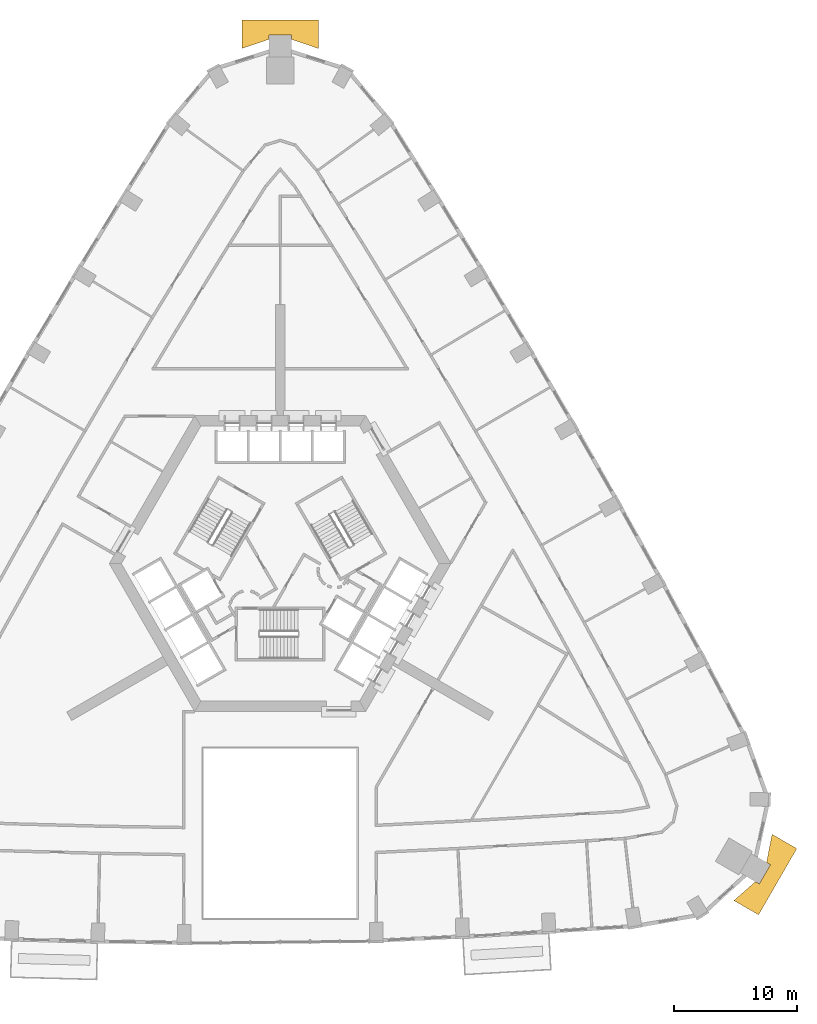
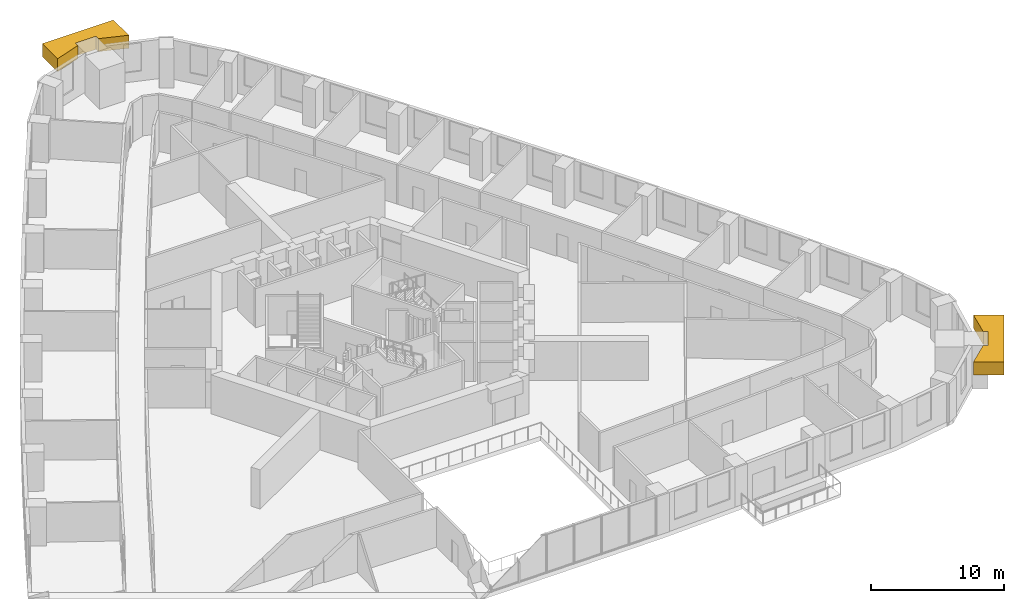
# One storey, part 15 of 15: 2 coverings.
"""IFC4 building model written with IfcOpenShell, lengths in metres."""

import ifcopenshell
import ifcopenshell.guid

model = None  # the IFC model being written
_history = None  # IfcOwnerHistory: only IFC2X3 demands one
_inside = {}  # id of a spatial element -> (the spatial element, [elements in it])
_under = {}  # id of a project, library or spatial element -> (it, [spatial elements below it])
_declared = {}  # id of a project -> (the project, [libraries it declares])
_typed = {}  # id of a type object -> (the type object, [elements of that type])
_made_of = {}  # id of a material, layer set ... -> (it, [elements and type objects made of it])


def new_model(schema):
    """Start an empty IFC model of exactly this schema.

    Asked for "IFC4X3", IfcOpenShell would pick the latest addendum, in which some entities
    have other attributes; the version numbers below select the first issue.
    IFC2X3 requires an IfcOwnerHistory on every rooted entity: one is made here for all.
    """
    global model, _history
    if schema == "IFC4X3":
        model = ifcopenshell.file(schema_version=(4, 3, 0, 0))
    else:
        model = ifcopenshell.file(schema=schema)
    _inside.clear()
    _under.clear()
    _declared.clear()
    _typed.clear()
    _made_of.clear()
    _history = None
    if model.schema == "IFC2X3":
        org = make("IfcOrganization", Name="unknown")
        user = make(
            "IfcPersonAndOrganization",
            ThePerson=make("IfcPerson", FamilyName="unknown"),
            TheOrganization=org,
        )
        app = make(
            "IfcApplication",
            ApplicationDeveloper=org,
            Version="unknown",
            ApplicationFullName="unknown",
            ApplicationIdentifier="unknown",
        )
        _history = make(
            "IfcOwnerHistory",
            OwningUser=user,
            OwningApplication=app,
            ChangeAction="ADDED",
            CreationDate=0,
        )
    return model


def make(cls, **values):
    """One entity of the class cls with the attributes given. An attribute that is None is left unset."""
    return model.create_entity(
        cls, **{name: value for name, value in values.items() if value is not None}
    )


def rooted(cls, **values):
    """An entity with a GlobalId (a new one), such as an element, a storey or a relation."""
    return make(cls, GlobalId=ifcopenshell.guid.new(), OwnerHistory=_history, **values)


def si_unit(unit_type, name, prefix=None):
    """IfcSIUnit, for example si_unit("LENGTHUNIT", "METRE", prefix="MILLI")."""
    return make("IfcSIUnit", UnitType=unit_type, Prefix=prefix, Name=name)


def assignment(units):
    """IfcUnitAssignment: the units of a project."""
    return None if units is None else make("IfcUnitAssignment", Units=units)


def point(xyz):
    """IfcCartesianPoint."""
    return None if xyz is None else make("IfcCartesianPoint", Coordinates=xyz)


def direction(xyz):
    """IfcDirection."""
    return None if xyz is None else make("IfcDirection", DirectionRatios=xyz)


def frame(location, z_axis=None, x_axis=None):
    """IfcAxis2Placement3D, a coordinate frame: its origin and axes. An axis left out is left unset."""
    return make(
        "IfcAxis2Placement3D",
        Location=point(location),
        Axis=direction(z_axis),
        RefDirection=direction(x_axis),
    )


def origin():
    """The frame at (0, 0, 0) with its axes left unset."""
    return frame((0.0, 0.0, 0.0))


def place(relative_to, where):
    """IfcLocalPlacement: puts the frame where relative to a parent placement (None: the world)."""
    return make(
        "IfcLocalPlacement", PlacementRelTo=relative_to, RelativePlacement=where
    )


def context(
    kind, dimensions, precision=None, world=None, true_north=None, identifier=None
):
    """IfcGeometricRepresentationContext, for example the 3D "Model" context."""
    return make(
        "IfcGeometricRepresentationContext",
        ContextIdentifier=identifier,
        ContextType=kind,
        CoordinateSpaceDimension=dimensions,
        Precision=precision,
        WorldCoordinateSystem=world,
        TrueNorth=true_north,
    )


def subcontext(parent, identifier, kind, view, scale=None):
    """IfcGeometricRepresentationSubContext, for example "Body" below "Model"."""
    return make(
        "IfcGeometricRepresentationSubContext",
        ContextIdentifier=identifier,
        ContextType=kind,
        ParentContext=parent,
        TargetScale=scale,
        TargetView=view,
    )


def project(units=None, contexts=None):
    """IfcProject with its units and contexts."""
    return rooted(
        "IfcProject",
        Name="project",
        RepresentationContexts=contexts,
        UnitsInContext=assignment(units),
    )


def spatial(cls, under=None, at=None, **own):
    """A site, building, storey or space (cls), placed at a placement, below another one or the project."""
    s = rooted(cls, ObjectPlacement=at, **own)
    if under is not None:
        _under.setdefault(under.id(), (under, []))[1].append(s)
    return s


def polyline(points):
    """IfcPolyline through the points."""
    return make("IfcPolyline", Points=[point(p) for p in points])


def outline(outer, holes=None, kind="AREA"):
    """IfcArbitraryClosedProfileDef: a profile drawn as a closed curve; with holes, ...WithVoids."""
    if holes is None:
        return make("IfcArbitraryClosedProfileDef", ProfileType=kind, OuterCurve=outer)
    return make(
        "IfcArbitraryProfileDefWithVoids",
        ProfileType=kind,
        OuterCurve=outer,
        InnerCurves=holes,
    )


def extrude(swept, where, along, depth):
    """IfcExtrudedAreaSolid: the profile swept, set in the frame where, extruded along a direction by depth."""
    return make(
        "IfcExtrudedAreaSolid",
        SweptArea=swept,
        Position=where,
        ExtrudedDirection=direction(along),
        Depth=depth,
    )


def shape(context_of_items, identifier, shape_type, items):
    """IfcShapeRepresentation: the items that make up one representation, for example the "Body"."""
    return make(
        "IfcShapeRepresentation",
        ContextOfItems=context_of_items,
        RepresentationIdentifier=identifier,
        RepresentationType=shape_type,
        Items=items,
    )


def material(Name=None, Category=None):
    """IfcMaterial."""
    return make("IfcMaterial", Name=Name, Category=Category)


def made_of(thing, what):
    """Note that an element or type object is made of a material, layer set ...; save() writes the relation."""
    if what is not None:
        _made_of.setdefault(what.id(), (what, []))[1].append(thing)
    return thing


def type_object(cls, material=None, **own):
    """A type object (cls), such as IfcWallType, which elements share."""
    return made_of(rooted(cls, **own), material)


def element(
    cls,
    number,
    at=None,
    inside=None,
    cuts=None,
    type_object=None,
    material=None,
    context=None,
    identifier="Body",
    shape_type=None,
    held_by="IfcProductDefinitionShape",
    body=None,
    shapes=None,
    **own,
):
    """One element of the class cls, such as IfcWall. Its Tag is "e" and its number.

    at: its placement. inside: the storey or other place that contains it. cuts: it is an
    opening in that element (IfcRelVoidsElement). A single representation is given by context,
    identifier, shape_type and body (its items); several are given by shapes. held_by: the class
    of the entity that holds the representations. save() writes the other relations.
    """
    e = rooted(cls, Tag="e%d" % number, ObjectPlacement=at, **own)
    if body is not None:
        shapes = [shape(context, identifier, shape_type, body)]
    if shapes is not None:
        e.Representation = make(held_by, Representations=shapes)
    if inside is not None:
        _inside.setdefault(inside.id(), (inside, []))[1].append(e)
    if cuts is not None:
        rooted(
            "IfcRelVoidsElement", RelatingBuildingElement=cuts, RelatedOpeningElement=e
        )
    if type_object is not None:
        _typed.setdefault(type_object.id(), (type_object, []))[1].append(e)
    return made_of(e, material)


def aggregate(whole, parts):
    """IfcRelAggregates: a whole, such as a stair, and the parts it consists of."""
    return rooted("IfcRelAggregates", RelatingObject=whole, RelatedObjects=parts)


def save(model, path):
    """Write the relations noted so far, then the file.

    IfcRelAggregates (storeys below a building ...), IfcRelContainedInSpatialStructure (elements
    in a storey), IfcRelDefinesByType, IfcRelAssociatesMaterial and IfcRelDeclares: one each for
    every whole, place, type object, material and project.
    """
    for whole, parts in _under.values():
        aggregate(whole, parts)
    for where, things in _inside.values():
        rooted(
            "IfcRelContainedInSpatialStructure",
            RelatedElements=things,
            RelatingStructure=where,
        )
    for kind, things in _typed.values():
        rooted("IfcRelDefinesByType", RelatedObjects=things, RelatingType=kind)
    for what, things in _made_of.values():
        rooted("IfcRelAssociatesMaterial", RelatedObjects=things, RelatingMaterial=what)
    for by, libraries in _declared.values():
        rooted("IfcRelDeclares", RelatingContext=by, RelatedDefinitions=libraries)
    model.write(path)


model = new_model("IFC4")

# Units and contexts
model_context = context("Model", 3, precision=1e-05, world=origin(), true_north=direction((0.0, 1.0)))
body_context = subcontext(model_context, "Body", "Model", "MODEL_VIEW")
ifc_project = project(units=[si_unit("LENGTHUNIT", "METRE"), si_unit("AREAUNIT", "SQUARE_METRE"), si_unit("VOLUMEUNIT", "CUBIC_METRE"), si_unit("PLANEANGLEUNIT", "RADIAN"), si_unit("MASSUNIT", "GRAM", prefix="KILO")], contexts=[model_context])

# Site, building, storey
site_placement = place(None, origin())
site = spatial("IfcSite", under=ifc_project, at=site_placement, CompositionType="ELEMENT")
building_placement = place(site_placement, origin())
building = spatial("IfcBuilding", under=site, at=building_placement, Name="Entoto Arch Interchange Tower", CompositionType="ELEMENT")
storey_placement = place(building_placement, frame((0.0, 0.0, 128.60009765625)))
storey = spatial("IfcBuildingStorey", under=building, at=storey_placement, Name="L28", CompositionType="ELEMENT", Elevation=128.60009765625)

# Coverings
ifc_material = material(Name="Board-marked precast concrete C50/60", Category="concrete")
covering_type = type_object("IfcCoveringType", Name="PRECAST FRAME COURSE", PredefinedType="CLADDING", material=ifc_material)
covering_1_placement = place(storey_placement, frame((0.0, 0.0, 2.39990234375)))
element("IfcCovering", 1, at=covering_1_placement, inside=storey, type_object=covering_type, Name="Corner pilaster head SE L27-L28", PredefinedType="CLADDING", context=body_context, shape_type="SweptSolid", body=[
    extrude(outline(polyline([(41.882080078125, -20.60107421875), (38.781982421875, -25.970947265625), (36.779052734375, -24.81396484375), (38.527099609375, -23.282958984375), (38.842041015625, -23.465087890625), (39.741943359375, -21.906982421875), (39.427001953125, -21.72509765625), (39.87890625, -19.445068359375), (41.882080078125, -20.60107421875)])), origin(), (0.0, 0.0, 1.0), 1.199951171875),
])
covering_2_placement = place(storey_placement, frame((0.0, 0.0, 2.39990234375)))
element("IfcCovering", 2, at=covering_2_placement, inside=storey, type_object=covering_type, Name="Corner pilaster head N L27-L28", PredefinedType="CLADDING", context=body_context, shape_type="SweptSolid", body=[
    extrude(outline(polyline([(-3.10009765625, 46.571044921875), (3.10009765625, 46.571044921875), (3.10009765625, 44.259033203125), (0.89990234375, 45.008056640625), (0.89990234375, 45.37109375), (-0.89990234375, 45.37109375), (-0.89990234375, 45.008056640625), (-3.10009765625, 44.259033203125), (-3.10009765625, 46.571044921875)])), origin(), (0.0, 0.0, 1.0), 1.199951171875),
])

save(model, "model.ifc")
